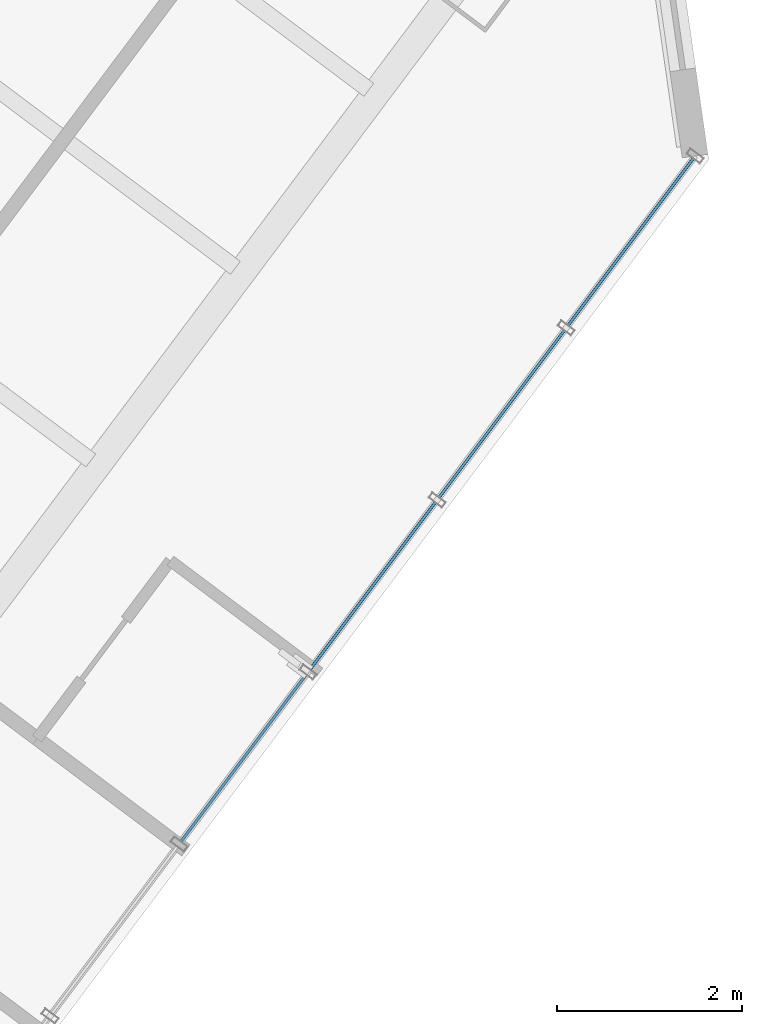
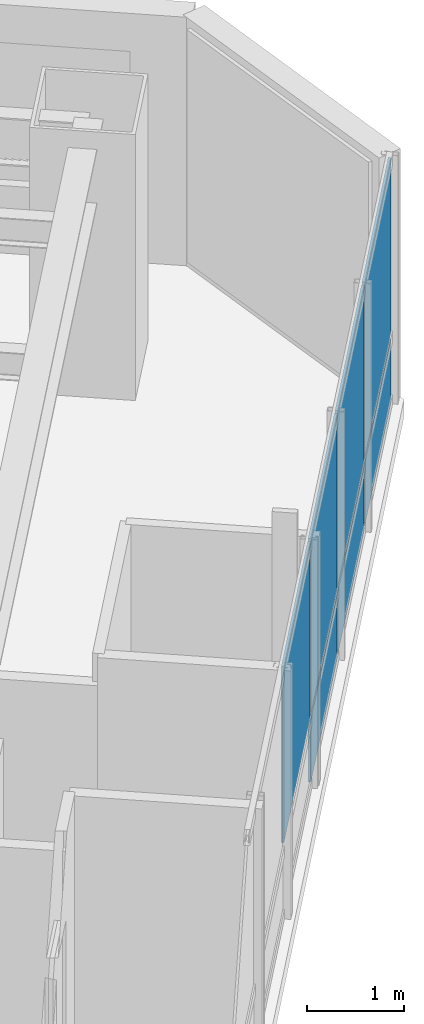
# One storey, part 21 of 38: 7 plates, 1 element without a shape of its own.
"""IFC4 building model written with IfcOpenShell, lengths in metres."""

from ifc_helpers import new_model, si_unit, direction, frame, origin, origin_2d, place, context, subcontext, project, spatial, rectangle, extrude, material, layer, layer_set, type_object, element, aggregate, save


model = new_model("IFC4")

# Units and contexts
model_context = context("Model", 3, precision=1e-05, world=origin(), true_north=direction((0.0, 1.0)))
body_context = subcontext(model_context, "Body", "Model", "MODEL_VIEW")
ifc_project = project(units=[si_unit("LENGTHUNIT", "METRE"), si_unit("AREAUNIT", "SQUARE_METRE"), si_unit("VOLUMEUNIT", "CUBIC_METRE"), si_unit("PLANEANGLEUNIT", "RADIAN"), si_unit("MASSUNIT", "GRAM", prefix="KILO")], contexts=[model_context])

# Site, building, storey
site_placement = place(None, origin())
site = spatial("IfcSite", under=ifc_project, at=site_placement, CompositionType="ELEMENT")
building_placement = place(site_placement, origin())
building = spatial("IfcBuilding", under=site, at=building_placement, Name="Hatsunagi Terrace Concourse", CompositionType="ELEMENT")
storey_placement = place(building_placement, frame((0.0, 0.0, 60.050048828125)))
storey = spatial("IfcBuildingStorey", under=building, at=storey_placement, Name="L15", CompositionType="ELEMENT", Elevation=60.050048828125)

# Curtain wall, plates
ifc_material_1 = material(Name="Anodised Aluminium Alloy 6063-T5", Category="aluminium")
ifc_layer_1 = layer(ifc_material_1, 0.199951171875)
ifc_layer_set_1 = layer_set([ifc_layer_1], Name="HotelFacade_CW02")
curtain_wall_type = type_object("IfcCurtainWallType", Name="HotelFacade_CW02", PredefinedType="NOTDEFINED", material=ifc_layer_set_1)
curtain_wall_placement = place(storey_placement, origin())
curtain_wall = element("IfcCurtainWall", 1, at=curtain_wall_placement, inside=storey, type_object=curtain_wall_type, Name="Unitised Curtain Wall CW-02 CW-L15-03", PredefinedType="NOTDEFINED")
ifc_material_2 = material(Name="Warm Terracotta Ceramic Spandrel Panel", Category="masonry")
ifc_layer_2 = layer(ifc_material_2, 0.031982421875)
ifc_layer_set_2 = layer_set([ifc_layer_2], Name="CurtainWallSpandrelPanel_32")
plate_type_1 = type_object("IfcPlateType", Name="CurtainWallSpandrelPanel_32", PredefinedType="SHEET", material=ifc_layer_set_2)
plate_1_placement = place(storey_placement, frame((68.39697265625, 18.72998046875, 0.030029296875), z_axis=(0.0, 0.0, 1.0), x_axis=(-0.599969314634, -0.800023013105, 0.0)))
plate_1 = element("IfcPlate", 2, at=plate_1_placement, type_object=plate_type_1, Name="Terracotta Spandrel Panel SPN-01", PredefinedType="SHEET", context=body_context, shape_type="SweptSolid", body=[
    extrude(rectangle(XDim=2.264892578125, YDim=0.031982421875, at=origin_2d()), origin(), (0.0, 0.0, 1.0), 0.7900390625),
])
plate_2_placement = place(storey_placement, frame((67.0048828125, 16.873046875, 0.030029296875), z_axis=(0.0, 0.0, 1.0), x_axis=(-0.599969314634, -0.800023013105, 0.0)))
plate_2 = element("IfcPlate", 3, at=plate_2_placement, type_object=plate_type_1, Name="Terracotta Spandrel Panel SPN-01", PredefinedType="SHEET", context=body_context, shape_type="SweptSolid", body=[
    extrude(rectangle(XDim=2.264892578125, YDim=0.031982421875, at=origin_2d()), origin(), (0.0, 0.0, 1.0), 0.7900390625),
])
plate_3_placement = place(storey_placement, frame((65.612060546875, 15.01708984375, 0.030029296875), z_axis=(0.0, 0.0, 1.0), x_axis=(-0.599969314634, -0.800023013105, 0.0)))
plate_3 = element("IfcPlate", 4, at=plate_3_placement, type_object=plate_type_1, Name="Terracotta Spandrel Panel SPN-01", PredefinedType="SHEET", context=body_context, shape_type="SweptSolid", body=[
    extrude(rectangle(XDim=2.264892578125, YDim=0.031982421875, at=origin_2d()), origin(), (0.0, 0.0, 1.0), 0.7900390625),
])
ifc_material_3 = material(Name="Low-E Double Insulating Glass 28mm", Category="glass")
ifc_layer_3 = layer(ifc_material_3, 0.028076171875)
ifc_layer_set_3 = layer_set([ifc_layer_3], Name="CurtainWallVisionGlass_28")
plate_type_2 = type_object("IfcPlateType", Name="CurtainWallVisionGlass_28", PredefinedType="CURTAIN_PANEL", material=ifc_layer_set_3)
plate_4_placement = place(storey_placement, frame((68.39697265625, 18.72998046875, 0.8798828125), z_axis=(0.0, 0.0, 1.0), x_axis=(-0.599969314634, -0.800023013105, 0.0)))
plate_4 = element("IfcPlate", 5, at=plate_4_placement, type_object=plate_type_2, Name="Low-E Vision Glass Panel GLZ-01", PredefinedType="CURTAIN_PANEL", context=body_context, shape_type="SweptSolid", body=[
    extrude(rectangle(XDim=2.264892578125, YDim=0.028076171875, at=origin_2d()), origin(), (0.0, 0.0, 1.0), 2.219970703125),
])
plate_5_placement = place(storey_placement, frame((67.0048828125, 16.873046875, 0.8798828125), z_axis=(0.0, 0.0, 1.0), x_axis=(-0.599969314634, -0.800023013105, 0.0)))
plate_5 = element("IfcPlate", 6, at=plate_5_placement, type_object=plate_type_2, Name="Low-E Vision Glass Panel GLZ-01", PredefinedType="CURTAIN_PANEL", context=body_context, shape_type="SweptSolid", body=[
    extrude(rectangle(XDim=2.264892578125, YDim=0.028076171875, at=origin_2d()), origin(), (0.0, 0.0, 1.0), 2.219970703125),
])
plate_6_placement = place(storey_placement, frame((65.612060546875, 15.01708984375, 0.8798828125), z_axis=(0.0, 0.0, 1.0), x_axis=(-0.599969314634, -0.800023013105, 0.0)))
plate_6 = element("IfcPlate", 7, at=plate_6_placement, type_object=plate_type_2, Name="Low-E Vision Glass Panel GLZ-01", PredefinedType="CURTAIN_PANEL", context=body_context, shape_type="SweptSolid", body=[
    extrude(rectangle(XDim=2.264892578125, YDim=0.028076171875, at=origin_2d()), origin(), (0.0, 0.0, 1.0), 2.219970703125),
])
plate_7_placement = place(storey_placement, frame((64.219970703125, 13.159912109375, 0.8798828125), z_axis=(0.0, 0.0, 1.0), x_axis=(-0.599969314634, -0.800023013105, 0.0)))
plate_7 = element("IfcPlate", 8, at=plate_7_placement, type_object=plate_type_2, Name="Low-E Vision Glass Panel GLZ-01", PredefinedType="CURTAIN_PANEL", context=body_context, shape_type="SweptSolid", body=[
    extrude(rectangle(XDim=2.264892578125, YDim=0.028076171875, at=origin_2d()), origin(), (0.0, 0.0, 1.0), 2.219970703125),
])
aggregate(curtain_wall, [plate_1, plate_4, plate_2, plate_5, plate_3, plate_6, plate_7])

save(model, "model.ifc")
